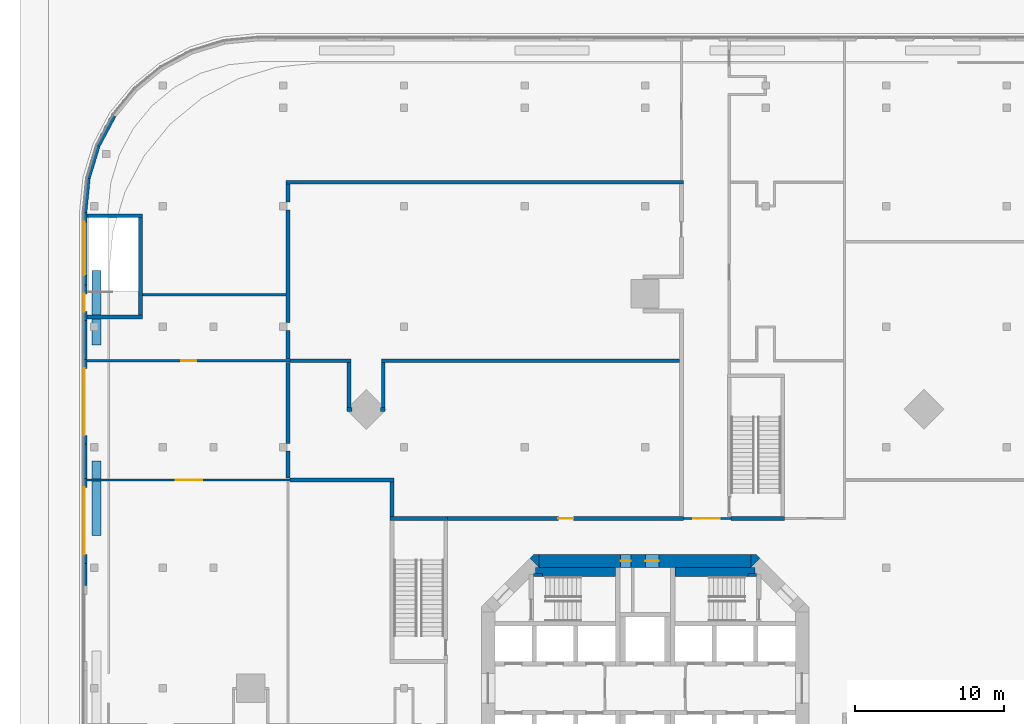
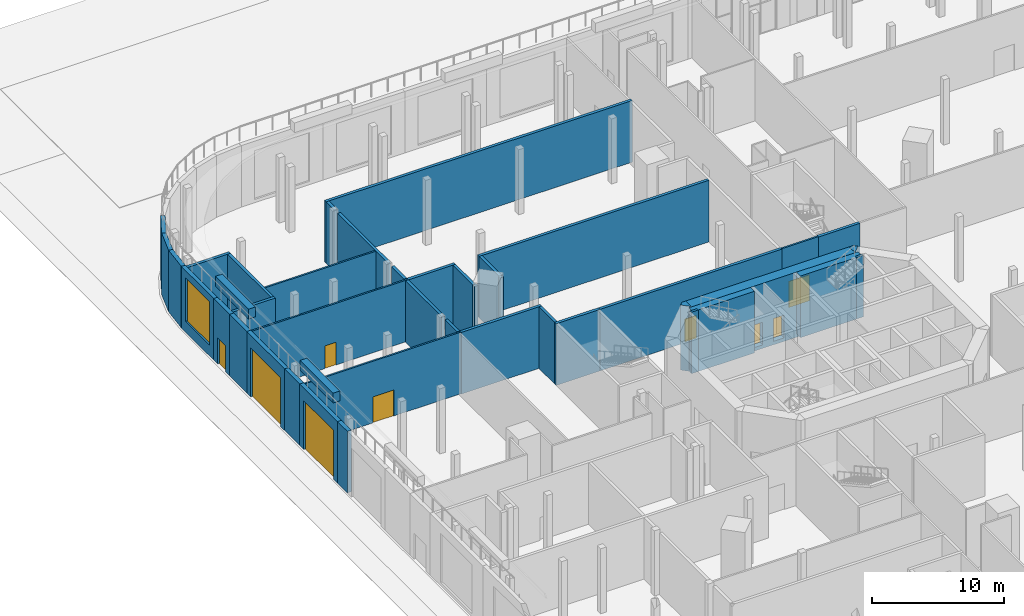
# One storey, part 20 of 32: 43 walls, 9 doors, 1 window, 10 openings.
"""IFC4 building model written with IfcOpenShell, lengths in metres."""

from ifc_helpers import new_model, si_unit, direction, frame, frame_2d, origin, place, context, subcontext, project, spatial, polyline, rectangle, outline, extrude, material, layer, layer_set, type_object, element, fill, save


model = new_model("IFC4")

# Units and contexts
model_context = context("Model", 3, precision=1e-05, world=origin(), true_north=direction((0.0, 1.0)))
body_context = subcontext(model_context, "Body", "Model", "MODEL_VIEW")
ifc_project = project(units=[si_unit("LENGTHUNIT", "METRE"), si_unit("AREAUNIT", "SQUARE_METRE"), si_unit("VOLUMEUNIT", "CUBIC_METRE"), si_unit("PLANEANGLEUNIT", "RADIAN"), si_unit("MASSUNIT", "GRAM", prefix="KILO")], contexts=[model_context])

# Site, building, storey
site_placement = place(None, origin())
site = spatial("IfcSite", under=ifc_project, at=site_placement, CompositionType="ELEMENT")
building_placement = place(site_placement, origin())
building = spatial("IfcBuilding", under=site, at=building_placement, Name="Torre Triforio", CompositionType="ELEMENT")
storey_placement = place(building_placement, origin())
storey = spatial("IfcBuildingStorey", under=building, at=storey_placement, Name="L00", CompositionType="ELEMENT", Elevation=0.0)

# Wall, openings, doors
ifc_material_1 = material(Name="Concrete C60", Category="concrete")
ifc_layer_1 = layer(ifc_material_1, 0.89990234375)
ifc_layer_set_1 = layer_set([ifc_layer_1], Name="Concrete C60")
wall_type_1 = type_object("IfcWallType", Name="Core wall 900 mm C60 EI 120", PredefinedType="SHEAR", material=ifc_layer_set_1)
wall_1_placement = place(storey_placement, frame((-7.1298828125, 8.550048828125, -0.320068359375), z_axis=(0.0, 0.0, 1.0), x_axis=(1.0, 0.0, 0.0)))
wall_1 = element("IfcWall", 1, at=wall_1_placement, inside=storey, type_object=wall_type_1, Name="Core wall", PredefinedType="SHEAR", context=body_context, shape_type="SweptSolid", body=[
    extrude(rectangle(XDim=14.259765625, YDim=0.89990234375, at=frame_2d((7.1298828125, 0.0))), origin(), (0.0, 0.0, 1.0), 6.0),
])
opening_1_placement = place(wall_1_placement, frame((5.47998046875, 0.0, 0.320068359375)))
opening_1 = element("IfcOpeningElement", 2, at=opening_1_placement, cuts=wall_1, Name="Opening RISER-N", PredefinedType="OPENING", context=body_context, shape_type="SweptSolid", body=[
    extrude(rectangle(XDim=0.699951171875, YDim=2.10009765625, at=frame_2d((0.35009765625, 1.050048828125))), frame((0.0, 0.4599609375, 0.0), z_axis=(0.0, -1.0, 0.0), x_axis=(1.0, 0.0, 0.0)), (0.0, 0.0, 1.0), 0.919921875),
])
opening_2_placement = place(wall_1_placement, frame((7.155029296875, 0.0, 0.320068359375)))
opening_2 = element("IfcOpeningElement", 3, at=opening_2_placement, cuts=wall_1, Name="Opening NE-01", PredefinedType="OPENING", context=body_context, shape_type="SweptSolid", body=[
    extrude(rectangle(XDim=0.89990234375, YDim=2.10009765625, at=frame_2d((0.449951171875, 1.050048828125))), frame((0.0, 0.4599609375, 0.0), z_axis=(0.0, -1.0, 0.0), x_axis=(1.0, 0.0, 0.0)), (0.0, 0.0, 1.0), 0.919921875),
])
ifc_material_2 = material(Name="Hollow metal fire door leaf")
door_type_1 = type_object("IfcDoorType", Name="Riser door 700 x 2100 EI 60", OperationType="NOTDEFINED", PredefinedType="DOOR", material=ifc_material_2)
door_1_placement = place(opening_1_placement, origin())
door_1 = element("IfcDoor", 4, at=door_1_placement, inside=storey, type_object=door_type_1, Name="Core door RISER-N", OperationType="SINGLE_SWING_LEFT", OverallHeight=2.10009765625, OverallWidth=0.699951171875, PredefinedType="DOOR", context=body_context, shape_type="SweptSolid", body=[
    extrude(rectangle(XDim=0.699951171875, YDim=2.10009765625, at=frame_2d((0.35009765625, 1.050048828125))), frame((0.0, 0.02490234375, 0.0), z_axis=(0.0, -1.0, 0.0), x_axis=(1.0, 0.0, 0.0)), (0.0, 0.0, 1.0), 0.050048828125),
])
fill(opening_1, door_1)
door_type_2 = type_object("IfcDoorType", Name="Room door 900 x 2100 EI 60", OperationType="NOTDEFINED", PredefinedType="DOOR", material=ifc_material_2)
door_2_placement = place(opening_2_placement, origin())
door_2 = element("IfcDoor", 5, at=door_2_placement, inside=storey, type_object=door_type_2, Name="Core door NE-01", OperationType="SINGLE_SWING_LEFT", OverallHeight=2.10009765625, OverallWidth=0.89990234375, PredefinedType="DOOR", context=body_context, shape_type="SweptSolid", body=[
    extrude(rectangle(XDim=0.89990234375, YDim=2.10009765625, at=frame_2d((0.449951171875, 1.050048828125))), frame((0.0, 0.02490234375, 0.0), z_axis=(0.0, -1.0, 0.0), x_axis=(1.0, 0.0, 0.0)), (0.0, 0.0, 1.0), 0.050048828125),
])
fill(opening_2, door_2)

# Walls
wall_2_placement = place(storey_placement, frame((0.0, 0.0, -0.320068359375)))
element("IfcWall", 6, at=wall_2_placement, inside=storey, type_object=wall_type_1, Name="Core wall", PredefinedType="SHEAR", context=body_context, shape_type="SweptSolid", body=[
    extrude(outline(polyline([(-7.472900390625, 9.0), (-7.1298828125, 9.0), (-7.1298828125, 8.1298828125), (-7.736328125, 8.736328125), (-7.472900390625, 9.0)])), origin(), (0.0, 0.0, 1.0), 6.0),
])
wall_3_placement = place(storey_placement, frame((0.0, 0.0, -0.320068359375)))
element("IfcWall", 7, at=wall_3_placement, inside=storey, type_object=wall_type_1, Name="Core wall", PredefinedType="SHEAR", context=body_context, shape_type="SweptSolid", body=[
    extrude(outline(polyline([(7.472900390625, 9.0), (7.736328125, 8.736328125), (7.1298828125, 8.1298828125), (7.1298828125, 9.0), (7.472900390625, 9.0)])), origin(), (0.0, 0.0, 1.0), 6.0),
])

# Wall, opening, door
ifc_material_3 = material(Name="Plasterboard on metal studs")
ifc_layer_2 = layer(ifc_material_3, 0.14990234375)
ifc_layer_set_2 = layer_set([ifc_layer_2], Name="Plasterboard on metal studs")
wall_type_2 = type_object("IfcWallType", Name="Corridor wall 150 EI 60", PredefinedType="PARTITIONING", material=ifc_layer_set_2)
wall_4_placement = place(storey_placement, frame((-37.5, 14.0, 0.0), z_axis=(0.0, 0.0, 1.0), x_axis=(1.0, 0.0, 0.0)))
wall_4 = element("IfcWall", 8, at=wall_4_placement, inside=storey, type_object=wall_type_2, Name="Corridor wall L00 072", PredefinedType="PARTITIONING", context=body_context, shape_type="SweptSolid", body=[
    extrude(rectangle(XDim=13.625, YDim=0.14990234375, at=frame_2d((6.8125, 0.0))), origin(), (0.0, 0.0, 1.0), 5.679931640625),
])
opening_3_placement = place(wall_4_placement, frame((5.949951171875, 0.0, 0.0)))
opening_3 = element("IfcOpeningElement", 9, at=opening_3_placement, cuts=wall_4, Name="Opening P0-21", PredefinedType="OPENING", context=body_context, shape_type="SweptSolid", body=[
    extrude(rectangle(XDim=1.800048828125, YDim=2.39990234375, at=frame_2d((0.89990234375, 1.199951171875))), frame((0.0, 0.0849609375, 0.0), z_axis=(0.0, -1.0, 0.0), x_axis=(1.0, 0.0, 0.0)), (0.0, 0.0, 1.0), 0.169921875),
])
ifc_material_4 = material(Name="Timber door leaf", Category="wood")
door_type_3 = type_object("IfcDoorType", Name="Double door 1800 x 2400 EI 60", OperationType="NOTDEFINED", PredefinedType="DOOR", material=ifc_material_4)
door_3_placement = place(opening_3_placement, origin())
door_3 = element("IfcDoor", 10, at=door_3_placement, inside=storey, type_object=door_type_3, Name="Door P0-21", OperationType="SINGLE_SWING_LEFT", OverallHeight=2.39990234375, OverallWidth=1.800048828125, PredefinedType="DOOR", context=body_context, shape_type="SweptSolid", body=[
    extrude(rectangle(XDim=1.800048828125, YDim=2.39990234375, at=frame_2d((0.89990234375, 1.199951171875))), frame((0.0, 0.02490234375, 0.0), z_axis=(0.0, -1.0, 0.0), x_axis=(1.0, 0.0, 0.0)), (0.0, 0.0, 1.0), 0.050048828125),
])
fill(opening_3, door_3)

wall_5_placement = place(storey_placement, frame((2.574951171875, 11.39990234375, 0.0), z_axis=(0.0, 0.0, 1.0), x_axis=(1.0, 0.0, 0.0)))
wall_5 = element("IfcWall", 11, at=wall_5_placement, inside=storey, type_object=wall_type_2, Name="Corridor wall L00 128", PredefinedType="PARTITIONING", context=body_context, shape_type="SweptSolid", body=[
    extrude(rectangle(XDim=3.199951171875, YDim=0.14990234375, at=frame_2d((1.60009765625, 0.0))), origin(), (0.0, 0.0, 1.0), 5.679931640625),
])
opening_4_placement = place(wall_5_placement, frame((0.64990234375, 0.0, 0.0)))
opening_4 = element("IfcOpeningElement", 12, at=opening_4_placement, cuts=wall_5, Name="Opening P0-54", PredefinedType="OPENING", context=body_context, shape_type="SweptSolid", body=[
    extrude(rectangle(XDim=1.800048828125, YDim=2.39990234375, at=frame_2d((0.89990234375, 1.199951171875))), frame((0.0, 0.0849609375, 0.0), z_axis=(0.0, -1.0, 0.0), x_axis=(1.0, 0.0, 0.0)), (0.0, 0.0, 1.0), 0.169921875),
])
door_4_placement = place(opening_4_placement, origin())
door_4 = element("IfcDoor", 13, at=door_4_placement, inside=storey, type_object=door_type_3, Name="Door P0-54", OperationType="SINGLE_SWING_LEFT", OverallHeight=2.39990234375, OverallWidth=1.800048828125, PredefinedType="DOOR", context=body_context, shape_type="SweptSolid", body=[
    extrude(rectangle(XDim=1.800048828125, YDim=2.39990234375, at=frame_2d((0.89990234375, 1.199951171875))), frame((0.0, 0.02490234375, 0.0), z_axis=(0.0, -1.0, 0.0), x_axis=(1.0, 0.0, 0.0)), (0.0, 0.0, 1.0), 0.050048828125),
])
fill(opening_4, door_4)

# Walls
ifc_material_5 = material(Name="Masonry block", Category="masonry")
ifc_layer_3 = layer(ifc_material_5, 0.25)
ifc_layer_set_3 = layer_set([ifc_layer_3], Name="Masonry block")
wall_type_3 = type_object("IfcWallType", Name="Plant room wall 250 EI 120", PredefinedType="PARTITIONING", material=ifc_layer_set_3)
for number, where, z_axis, x_axis, name in (
    (14, (-20.01318359375, 18.73828125, 0.0), (0.0, 0.0, 1.0), (1.0, 0.0, 0.0), "Plant room wall L00 053"),
    (15, (-17.7783203125, 18.73828125, 0.0), (0.0, 0.0, 1.0), (1.0, 0.0, 0.0), "Plant room wall L00 054"),
):
    element("IfcWall", number, at=place(storey_placement, frame(where, z_axis=z_axis, x_axis=x_axis)), inside=storey, type_object=wall_type_3, Name=name, PredefinedType="PARTITIONING", context=body_context, shape_type="SweptSolid", body=[
        extrude(rectangle(XDim=0.31494140625, YDim=0.25, at=frame_2d((0.157470703125, 0.0))), origin(), (0.0, 0.0, 1.0), 5.679931640625),
    ])
wall_6_placement = place(storey_placement, frame((-23.875, 22.0, 0.0), z_axis=(0.0, 0.0, 1.0), x_axis=(1.0, 0.0, 0.0)))
element("IfcWall", 16, at=wall_6_placement, inside=storey, type_object=wall_type_3, Name="Plant room wall L00 055", PredefinedType="PARTITIONING", context=body_context, shape_type="SweptSolid", body=[
    extrude(rectangle(XDim=4.11181640625, YDim=0.25, at=frame_2d((2.055908203125, 0.0))), origin(), (0.0, 0.0, 1.0), 5.679931640625),
])
wall_7_placement = place(storey_placement, frame((-17.71337890625, 22.0, 0.0), z_axis=(0.0, 0.0, 1.0), x_axis=(1.0, 0.0, 0.0)))
element("IfcWall", 17, at=wall_7_placement, inside=storey, type_object=wall_type_3, Name="Plant room wall L00 056", PredefinedType="PARTITIONING", context=body_context, shape_type="SweptSolid", body=[
    extrude(rectangle(XDim=20.038330078125, YDim=0.25, at=frame_2d((10.01904296875, 0.0))), origin(), (0.0, 0.0, 1.0), 5.679931640625),
])
for number, where, z_axis, x_axis, name in (
    (18, (-19.88818359375, 18.86328125, 0.0), (0.0, 0.0, 1.0), (0.0, 1.0, 0.0), "Plant room wall L00 057"),
    (19, (-17.58837890625, 18.86328125, 0.0), (0.0, 0.0, 1.0), (0.0, 1.0, 0.0), "Plant room wall L00 058"),
):
    element("IfcWall", number, at=place(storey_placement, frame(where, z_axis=z_axis, x_axis=x_axis)), inside=storey, type_object=wall_type_3, Name=name, PredefinedType="PARTITIONING", context=body_context, shape_type="SweptSolid", body=[
        extrude(rectangle(XDim=3.01171875, YDim=0.25, at=frame_2d((1.505859375, 0.0))), origin(), (0.0, 0.0, 1.0), 5.679931640625),
    ])
wall_8_placement = place(storey_placement, frame((-24.0, 22.125, 0.0), z_axis=(0.0, 0.0, 1.0), x_axis=(0.0, 1.0, 0.0)))
element("IfcWall", 20, at=wall_8_placement, inside=storey, type_object=wall_type_3, Name="Plant room wall L00 062", PredefinedType="PARTITIONING", context=body_context, shape_type="SweptSolid", body=[
    extrude(rectangle(XDim=1.9150390625, YDim=0.25, at=frame_2d((0.95751953125, 0.0))), origin(), (0.0, 0.0, 1.0), 5.679931640625),
])
wall_9_placement = place(storey_placement, frame((-24.0, 24.56005859375, 0.0), z_axis=(0.0, 0.0, 1.0), x_axis=(0.0, 1.0, 0.0)))
element("IfcWall", 21, at=wall_9_placement, inside=storey, type_object=wall_type_3, Name="Plant room wall L00 063", PredefinedType="PARTITIONING", context=body_context, shape_type="SweptSolid", body=[
    extrude(rectangle(XDim=7.579833984375, YDim=0.25, at=frame_2d((3.7900390625, 0.0))), origin(), (0.0, 0.0, 1.0), 5.679931640625),
])
wall_10_placement = place(storey_placement, frame((-24.125, 34.0, 0.0), z_axis=(0.0, 0.0, 1.0), x_axis=(1.0, 0.0, 0.0)))
element("IfcWall", 22, at=wall_10_placement, inside=storey, type_object=wall_type_3, Name="Plant room wall L00 064", PredefinedType="PARTITIONING", context=body_context, shape_type="SweptSolid", body=[
    extrude(rectangle(XDim=26.699951171875, YDim=0.25, at=frame_2d((13.35009765625, 0.0))), origin(), (0.0, 0.0, 1.0), 5.679931640625),
])
wall_11_placement = place(storey_placement, frame((-24.0, 32.659912109375, 0.0), z_axis=(0.0, 0.0, 1.0), x_axis=(0.0, 1.0, 0.0)))
element("IfcWall", 23, at=wall_11_placement, inside=storey, type_object=wall_type_3, Name="Plant room wall L00 065", PredefinedType="PARTITIONING", context=body_context, shape_type="SweptSolid", body=[
    extrude(rectangle(XDim=1.215087890625, YDim=0.25, at=frame_2d((0.607421875, 0.0))), origin(), (0.0, 0.0, 1.0), 5.679931640625),
])
wall_12_placement = place(storey_placement, frame((-24.0, 14.125, 0.0), z_axis=(0.0, 0.0, 1.0), x_axis=(0.0, 1.0, 0.0)))
element("IfcWall", 24, at=wall_12_placement, inside=storey, type_object=wall_type_3, Name="Plant room wall L00 085", PredefinedType="PARTITIONING", context=body_context, shape_type="SweptSolid", body=[
    extrude(rectangle(XDim=1.81494140625, YDim=0.25, at=frame_2d((0.907470703125, 0.0))), origin(), (0.0, 0.0, 1.0), 5.679931640625),
])
wall_13_placement = place(storey_placement, frame((-24.0, 16.4599609375, 0.0), z_axis=(0.0, 0.0, 1.0), x_axis=(0.0, 1.0, 0.0)))
element("IfcWall", 25, at=wall_13_placement, inside=storey, type_object=wall_type_3, Name="Plant room wall L00 086", PredefinedType="PARTITIONING", context=body_context, shape_type="SweptSolid", body=[
    extrude(rectangle(XDim=5.4150390625, YDim=0.25, at=frame_2d((2.70751953125, 0.0))), origin(), (0.0, 0.0, 1.0), 5.679931640625),
])

# Wall, opening, door
wall_14_placement = place(storey_placement, frame((-13.27490234375, 11.39990234375, 0.0), z_axis=(0.0, 0.0, 1.0), x_axis=(1.0, 0.0, 0.0)))
wall_14 = element("IfcWall", 26, at=wall_14_placement, inside=storey, type_object=wall_type_3, Name="Plant room wall L00 088", PredefinedType="PARTITIONING", context=body_context, shape_type="SweptSolid", body=[
    extrude(rectangle(XDim=15.849853515625, YDim=0.25, at=frame_2d((7.9248046875, 0.0))), origin(), (0.0, 0.0, 1.0), 5.679931640625),
])
opening_5_placement = place(wall_14_placement, frame((7.449951171875, 0.0, 0.0)))
opening_5 = element("IfcOpeningElement", 27, at=opening_5_placement, cuts=wall_14, Name="Opening P0-25", PredefinedType="OPENING", context=body_context, shape_type="SweptSolid", body=[
    extrude(rectangle(XDim=1.0, YDim=2.10009765625, at=frame_2d((0.5, 1.050048828125))), frame((0.0, 0.135009765625, 0.0), z_axis=(0.0, -1.0, 0.0), x_axis=(1.0, 0.0, 0.0)), (0.0, 0.0, 1.0), 0.27001953125),
])
door_type_4 = type_object("IfcDoorType", Name="Fire door 1000 x 2100 EI 60", OperationType="NOTDEFINED", PredefinedType="DOOR", material=ifc_material_2)
door_5_placement = place(opening_5_placement, origin())
door_5 = element("IfcDoor", 28, at=door_5_placement, inside=storey, type_object=door_type_4, Name="Door P0-25", OperationType="SINGLE_SWING_LEFT", OverallHeight=2.10009765625, OverallWidth=1.0, PredefinedType="DOOR", context=body_context, shape_type="SweptSolid", body=[
    extrude(rectangle(XDim=1.0, YDim=2.10009765625, at=frame_2d((0.5, 1.050048828125))), frame((0.0, 0.02490234375, 0.0), z_axis=(0.0, -1.0, 0.0), x_axis=(1.0, 0.0, 0.0)), (0.0, 0.0, 1.0), 0.050048828125),
])
fill(opening_5, door_5)

# Walls
wall_15_placement = place(storey_placement, frame((-23.875, 14.0, 0.0), z_axis=(0.0, 0.0, 1.0), x_axis=(1.0, 0.0, 0.0)))
element("IfcWall", 29, at=wall_15_placement, inside=storey, type_object=wall_type_3, Name="Plant room wall L00 089", PredefinedType="PARTITIONING", context=body_context, shape_type="SweptSolid", body=[
    extrude(rectangle(XDim=7.0, YDim=0.25, at=frame_2d((3.5, 0.0))), origin(), (0.0, 0.0, 1.0), 5.679931640625),
])
wall_16_placement = place(storey_placement, frame((-17.0, 11.52490234375, 0.0), z_axis=(0.0, 0.0, 1.0), x_axis=(0.0, 1.0, 0.0)))
element("IfcWall", 30, at=wall_16_placement, inside=storey, type_object=wall_type_3, Name="Plant room wall L00 090", PredefinedType="PARTITIONING", context=body_context, shape_type="SweptSolid", body=[
    extrude(rectangle(XDim=2.35009765625, YDim=0.25, at=frame_2d((1.175048828125, 0.0))), origin(), (0.0, 0.0, 1.0), 5.679931640625),
])
ifc_material_6 = material(Name="Concrete C40", Category="concrete")
ifc_layer_4 = layer(ifc_material_6, 0.25)
ifc_layer_set_4 = layer_set([ifc_layer_4], Name="Concrete C40")
wall_type_4 = type_object("IfcWallType", Name="Plant room wall 250 structural EI 120", PredefinedType="STANDARD", material=ifc_layer_set_4)
wall_17_placement = place(storey_placement, frame((-17.125, 11.39990234375, 0.0), z_axis=(0.0, 0.0, 1.0), x_axis=(1.0, 0.0, 0.0)))
element("IfcWall", 31, at=wall_17_placement, inside=storey, type_object=wall_type_4, Name="Plant room wall L00 087", PredefinedType="STANDARD", context=body_context, shape_type="SweptSolid", body=[
    extrude(rectangle(XDim=3.85009765625, YDim=0.25, at=frame_2d((1.925048828125, 0.0))), origin(), (0.0, 0.0, 1.0), 5.679931640625),
])
ifc_layer_5 = layer(ifc_material_6, 0.25)
ifc_layer_set_5 = layer_set([ifc_layer_5], Name="Concrete C40")
wall_type_5 = type_object("IfcWallType", Name="Stair enclosure wall 250 EI 120", PredefinedType="STANDARD", material=ifc_layer_set_5)
wall_18_placement = place(storey_placement, frame((-37.5, 24.949951171875, 0.0), z_axis=(0.0, 0.0, 1.0), x_axis=(1.0, 0.0, 0.0)))
element("IfcWall", 32, at=wall_18_placement, inside=storey, type_object=wall_type_5, Name="Stair enclosure wall L00 020", PredefinedType="STANDARD", context=body_context, shape_type="SweptSolid", body=[
    extrude(rectangle(XDim=3.72509765625, YDim=0.25, at=frame_2d((1.862548828125, 0.0))), origin(), (0.0, 0.0, 1.0), 5.679931640625),
])
wall_19_placement = place(storey_placement, frame((-33.89990234375, 25.074951171875, 0.0), z_axis=(0.0, 0.0, 1.0), x_axis=(0.0, 1.0, 0.0)))
element("IfcWall", 33, at=wall_19_placement, inside=storey, type_object=wall_type_5, Name="Stair enclosure wall L00 021", PredefinedType="STANDARD", context=body_context, shape_type="SweptSolid", body=[
    extrude(rectangle(XDim=6.550048828125, YDim=0.25, at=frame_2d((3.27490234375, 0.0))), origin(), (0.0, 0.0, 1.0), 5.679931640625),
])
wall_20_placement = place(storey_placement, frame((-37.5, 31.75, 0.0), z_axis=(0.0, 0.0, 1.0), x_axis=(1.0, 0.0, 0.0)))
element("IfcWall", 34, at=wall_20_placement, inside=storey, type_object=wall_type_5, Name="Stair enclosure wall L00 022", PredefinedType="STANDARD", context=body_context, shape_type="SweptSolid", body=[
    extrude(rectangle(XDim=3.72509765625, YDim=0.25, at=frame_2d((1.862548828125, 0.0))), origin(), (0.0, 0.0, 1.0), 5.679931640625),
])
wall_21_placement = place(storey_placement, frame((5.77490234375, 11.39990234375, 0.0), z_axis=(0.0, 0.0, 1.0), x_axis=(1.0, 0.0, 0.0)))
element("IfcWall", 35, at=wall_21_placement, inside=storey, type_object=wall_type_5, Name="Stair enclosure wall L00 140", PredefinedType="STANDARD", context=body_context, shape_type="SweptSolid", body=[
    extrude(rectangle(XDim=3.60009765625, YDim=0.25, at=frame_2d((1.800048828125, 0.0))), origin(), (0.0, 0.0, 1.0), 5.679931640625),
])
ifc_layer_6 = layer(ifc_material_1, 0.199951171875)
ifc_layer_set_6 = layer_set([ifc_layer_6], Name="Concrete C60")
wall_type_6 = type_object("IfcWallType", Name="Stair wall 200 mm C60 EI 120", PredefinedType="SHEAR", material=ifc_layer_set_6)
for number, where, z_axis, x_axis, name in (
    (36, (-7.5, 7.60009765625, 0.0), (0.0, 0.0, 1.0), (1.0, 0.0, 0.0), "Stair wall"),
    (37, (6.89990234375, 7.60009765625, 0.0), (0.0, 0.0, 1.0), (1.0, 0.0, 0.0), "Stair wall"),
):
    element("IfcWall", number, at=place(storey_placement, frame(where, z_axis=z_axis, x_axis=x_axis)), inside=storey, type_object=wall_type_6, Name=name, PredefinedType="SHEAR", context=body_context, shape_type="SweptSolid", body=[
        extrude(rectangle(XDim=0.60009765625, YDim=0.199951171875, at=frame_2d((0.300048828125, 0.0))), origin(), (0.0, 0.0, 1.0), 5.679931640625),
    ])
ifc_layer_7 = layer(ifc_material_1, 0.60009765625)
ifc_layer_set_7 = layer_set([ifc_layer_7], Name="Concrete C60")
wall_type_7 = type_object("IfcWallType", Name="Stair wall 600 mm C60 EI 120", PredefinedType="SHEAR", material=ifc_layer_set_7)
for number, where, z_axis, x_axis, name in (
    (38, (-7.3701171875, 7.800048828125, 0.0), (0.0, 0.0, 1.0), (1.0, 0.0, 0.0), "Stair wall"),
    (39, (2.0, 7.800048828125, 0.0), (0.0, 0.0, 1.0), (1.0, 0.0, 0.0), "Stair wall"),
):
    element("IfcWall", number, at=place(storey_placement, frame(where, z_axis=z_axis, x_axis=x_axis)), inside=storey, type_object=wall_type_7, Name=name, PredefinedType="SHEAR", context=body_context, shape_type="SweptSolid", body=[
        extrude(rectangle(XDim=5.3701171875, YDim=0.60009765625, at=frame_2d((2.68505859375, 0.0))), origin(), (0.0, 0.0, 1.0), 5.679931640625),
    ])
ifc_material_7 = material(Name="Limestone cladding", Category="masonry")
ifc_layer_8 = layer(ifc_material_7, 0.10009765625)
ifc_layer_9 = layer(ifc_material_6, 0.25)
ifc_layer_set_8 = layer_set([ifc_layer_8, ifc_layer_9], Name="Limestone cladding / Concrete C40")
wall_type_8 = type_object("IfcWallType", Name="Stone-clad podium wall 350", PredefinedType="STANDARD", material=ifc_layer_set_8)
wall_22_placement = place(storey_placement, frame((-35.7060546875, 38.4853515625, 0.0), z_axis=(0.0, 0.0, 1.0), x_axis=(-0.47145739061, -0.881888841544, 0.0)))
element("IfcWall", 40, at=wall_22_placement, inside=storey, type_object=wall_type_8, Name="External wall L00 e23.0.w0", PredefinedType="STANDARD", context=body_context, shape_type="SweptSolid", body=[
    extrude(rectangle(XDim=2.288330078125, YDim=0.35009765625, at=frame_2d((1.14404296875, 0.0))), origin(), (0.0, 0.0, 1.0), 5.679931640625),
])
wall_23_placement = place(storey_placement, frame((-36.784912109375, 36.46728515625, 0.0), z_axis=(0.0, 0.0, 1.0), x_axis=(-0.29028274763, -0.956940921075, 0.0)))
element("IfcWall", 41, at=wall_23_placement, inside=storey, type_object=wall_type_8, Name="External wall L00 e24.0.w0", PredefinedType="STANDARD", context=body_context, shape_type="SweptSolid", body=[
    extrude(rectangle(XDim=2.28857421875, YDim=0.35009765625, at=frame_2d((1.144287109375, 0.0))), origin(), (0.0, 0.0, 1.0), 5.679931640625),
])
wall_24_placement = place(storey_placement, frame((-37.44921875, 34.27734375, 0.0), z_axis=(0.0, 0.0, 1.0), x_axis=(-0.097993192849, -0.995187085002, 0.0)))
element("IfcWall", 42, at=wall_24_placement, inside=storey, type_object=wall_type_8, Name="External wall L00 e25.0.w0", PredefinedType="STANDARD", context=body_context, shape_type="SweptSolid", body=[
    extrude(rectangle(XDim=2.304443359375, YDim=0.35009765625, at=frame_2d((1.15234375, 0.0))), origin(), (0.0, 0.0, 1.0), 5.679931640625),
])

# Wall, opening, window
wall_25_placement = place(storey_placement, frame((-37.675048828125, 31.98388671875, 0.0), z_axis=(0.0, 0.0, 1.0), x_axis=(0.0, -1.0, 0.0)))
wall_25 = element("IfcWall", 43, at=wall_25_placement, inside=storey, type_object=wall_type_8, Name="External wall L00 e26.0.w0", PredefinedType="STANDARD", context=body_context, shape_type="SweptSolid", body=[
    extrude(rectangle(XDim=4.8837890625, YDim=0.35009765625, at=frame_2d((2.44189453125, 0.0))), origin(), (0.0, 0.0, 1.0), 5.679931640625),
])
opening_6_placement = place(wall_25_placement, frame((0.64208984375, 0.0, 1.0)))
opening_6 = element("IfcOpeningElement", 44, at=opening_6_placement, cuts=wall_25, Name="Opening P0-W09", PredefinedType="OPENING", context=body_context, shape_type="SweptSolid", body=[
    extrude(rectangle(XDim=3.60009765625, YDim=4.0, at=frame_2d((1.800048828125, 2.0))), frame((0.0, 0.18505859375, 0.0), z_axis=(0.0, -1.0, 0.0), x_axis=(1.0, 0.0, 0.0)), (0.0, 0.0, 1.0), 0.3701171875),
])
ifc_material_8 = material(Name="Aluminium frame with clear double glazing", Category="aluminium")
window_type = type_object("IfcWindowType", Name="Podium window 3600 x 4000", PartitioningType="DOUBLE_PANEL_VERTICAL", PredefinedType="WINDOW", material=ifc_material_8)
window_placement = place(opening_6_placement, origin())
window = element("IfcWindow", 45, at=window_placement, inside=storey, type_object=window_type, Name="Window L00 e26.0.w0", OverallHeight=4.0, OverallWidth=3.60009765625, PartitioningType="SINGLE_PANEL", PredefinedType="WINDOW", context=body_context, shape_type="SweptSolid", body=[
    extrude(rectangle(XDim=3.60009765625, YDim=4.0, at=frame_2d((1.800048828125, 2.0))), frame((0.0, 0.030029296875, 0.0), z_axis=(0.0, -1.0, 0.0), x_axis=(1.0, 0.0, 0.0)), (0.0, 0.0, 1.0), 0.06005859375),
])
fill(opening_6, window)

# Wall, opening, door
wall_26_placement = place(storey_placement, frame((-37.675048828125, 27.10009765625, 0.0), z_axis=(0.0, 0.0, 1.0), x_axis=(0.0, -1.0, 0.0)))
wall_26 = element("IfcWall", 46, at=wall_26_placement, inside=storey, type_object=wall_type_8, Name="External wall L00 e26.1", PredefinedType="STANDARD", context=body_context, shape_type="SweptSolid", body=[
    extrude(rectangle(XDim=2.400146484375, YDim=0.35009765625, at=frame_2d((1.2001953125, 0.0))), origin(), (0.0, 0.0, 1.0), 5.679931640625),
])
opening_7_placement = place(wall_26_placement, frame((0.60009765625, 0.0, 0.0)))
opening_7 = element("IfcOpeningElement", 47, at=opening_7_placement, cuts=wall_26, Name="Opening P0-51", PredefinedType="OPENING", context=body_context, shape_type="SweptSolid", body=[
    extrude(rectangle(XDim=1.199951171875, YDim=2.39990234375, at=frame_2d((0.60009765625, 1.199951171875))), frame((0.0, 0.18505859375, 0.0), z_axis=(0.0, -1.0, 0.0), x_axis=(1.0, 0.0, 0.0)), (0.0, 0.0, 1.0), 0.3701171875),
])
ifc_material_9 = material(Name="Galvanised hollow metal door leaf")
door_type_5 = type_object("IfcDoorType", Name="Exit discharge door 1200 x 2400", OperationType="NOTDEFINED", PredefinedType="DOOR", material=ifc_material_9)
door_6_placement = place(opening_7_placement, frame((1.199951171875, 0.0, 0.0), z_axis=(0.0, 0.0, 1.0), x_axis=(-1.0, 0.0, 0.0)))
door_6 = element("IfcDoor", 48, at=door_6_placement, inside=storey, type_object=door_type_5, Name="Door P0-51", OperationType="SINGLE_SWING_RIGHT", OverallHeight=2.39990234375, OverallWidth=1.199951171875, PredefinedType="DOOR", context=body_context, shape_type="SweptSolid", body=[
    extrude(rectangle(XDim=1.199951171875, YDim=2.39990234375, at=frame_2d((0.60009765625, 1.199951171875))), frame((0.0, 0.02490234375, 0.0), z_axis=(0.0, -1.0, 0.0), x_axis=(1.0, 0.0, 0.0)), (0.0, 0.0, 1.0), 0.050048828125),
])
fill(opening_7, door_6)

# Wall
wall_27_placement = place(storey_placement, frame((-37.675048828125, 24.699951171875, 0.0), z_axis=(0.0, 0.0, 1.0), x_axis=(0.0, -1.0, 0.0)))
element("IfcWall", 49, at=wall_27_placement, inside=storey, type_object=wall_type_8, Name="External wall L00 e26.2.w0", PredefinedType="STANDARD", context=body_context, shape_type="SweptSolid", body=[
    extrude(rectangle(XDim=2.599853515625, YDim=0.35009765625, at=frame_2d((1.2998046875, 0.0))), origin(), (0.0, 0.0, 1.0), 5.679931640625),
])

# Wall, opening, door
wall_28_placement = place(storey_placement, frame((-37.675048828125, 22.10009765625, 0.0), z_axis=(0.0, 0.0, 1.0), x_axis=(0.0, -1.0, 0.0)))
wall_28 = element("IfcWall", 50, at=wall_28_placement, inside=storey, type_object=wall_type_8, Name="External wall L00 e26.3", PredefinedType="STANDARD", context=body_context, shape_type="SweptSolid", body=[
    extrude(rectangle(XDim=5.7001953125, YDim=0.35009765625, at=frame_2d((2.85009765625, 0.0))), origin(), (0.0, 0.0, 1.0), 5.679931640625),
])
opening_8_placement = place(wall_28_placement, frame((0.60009765625, 0.0, 0.0)))
opening_8 = element("IfcOpeningElement", 51, at=opening_8_placement, cuts=wall_28, Name="Opening P0-43", PredefinedType="OPENING", context=body_context, shape_type="SweptSolid", body=[
    extrude(rectangle(XDim=4.5, YDim=4.5, at=frame_2d((2.25, 2.25))), frame((0.0, 0.18505859375, 0.0), z_axis=(0.0, -1.0, 0.0), x_axis=(1.0, 0.0, 0.0)), (0.0, 0.0, 1.0), 0.3701171875),
])
ifc_material_10 = material(Name="Galvanised roller shutter slats")
door_type_6 = type_object("IfcDoorType", Name="Roller shutter door 4500 x 4500", OperationType="ROLLINGUP", PredefinedType="GATE", material=ifc_material_10)
door_7_placement = place(opening_8_placement, frame((4.5, 0.0, 0.0), z_axis=(0.0, 0.0, 1.0), x_axis=(-1.0, 0.0, 0.0)))
door_7 = element("IfcDoor", 52, at=door_7_placement, inside=storey, type_object=door_type_6, Name="Door P0-43", OperationType="SINGLE_SWING_LEFT", OverallHeight=4.5, OverallWidth=4.5, PredefinedType="GATE", context=body_context, shape_type="SweptSolid", body=[
    extrude(rectangle(XDim=4.5, YDim=4.5, at=frame_2d((2.25, 2.25))), frame((0.0, 0.02490234375, 0.0), z_axis=(0.0, -1.0, 0.0), x_axis=(1.0, 0.0, 0.0)), (0.0, 0.0, 1.0), 0.050048828125),
])
fill(opening_8, door_7)

# Wall
wall_29_placement = place(storey_placement, frame((-37.675048828125, 16.39990234375, 0.0), z_axis=(0.0, 0.0, 1.0), x_axis=(0.0, -1.0, 0.0)))
element("IfcWall", 53, at=wall_29_placement, inside=storey, type_object=wall_type_8, Name="External wall L00 e26.4.w0", PredefinedType="STANDARD", context=body_context, shape_type="SweptSolid", body=[
    extrude(rectangle(XDim=2.2998046875, YDim=0.35009765625, at=frame_2d((1.14990234375, 0.0))), origin(), (0.0, 0.0, 1.0), 5.679931640625),
])

# Wall, opening, door
wall_30_placement = place(storey_placement, frame((-37.675048828125, 14.10009765625, 0.0), z_axis=(0.0, 0.0, 1.0), x_axis=(0.0, -1.0, 0.0)))
wall_30 = element("IfcWall", 54, at=wall_30_placement, inside=storey, type_object=wall_type_8, Name="External wall L00 e26.5", PredefinedType="STANDARD", context=body_context, shape_type="SweptSolid", body=[
    extrude(rectangle(XDim=5.7001953125, YDim=0.35009765625, at=frame_2d((2.85009765625, 0.0))), origin(), (0.0, 0.0, 1.0), 5.679931640625),
])
opening_9_placement = place(wall_30_placement, frame((0.60009765625, 0.0, 0.0)))
opening_9 = element("IfcOpeningElement", 55, at=opening_9_placement, cuts=wall_30, Name="Opening P0-42", PredefinedType="OPENING", context=body_context, shape_type="SweptSolid", body=[
    extrude(rectangle(XDim=4.5, YDim=4.5, at=frame_2d((2.25, 2.25))), frame((0.0, 0.18505859375, 0.0), z_axis=(0.0, -1.0, 0.0), x_axis=(1.0, 0.0, 0.0)), (0.0, 0.0, 1.0), 0.3701171875),
])
door_8_placement = place(opening_9_placement, frame((4.5, 0.0, 0.0), z_axis=(0.0, 0.0, 1.0), x_axis=(-1.0, 0.0, 0.0)))
door_8 = element("IfcDoor", 56, at=door_8_placement, inside=storey, type_object=door_type_6, Name="Door P0-42", OperationType="SINGLE_SWING_LEFT", OverallHeight=4.5, OverallWidth=4.5, PredefinedType="GATE", context=body_context, shape_type="SweptSolid", body=[
    extrude(rectangle(XDim=4.5, YDim=4.5, at=frame_2d((2.25, 2.25))), frame((0.0, 0.02490234375, 0.0), z_axis=(0.0, -1.0, 0.0), x_axis=(1.0, 0.0, 0.0)), (0.0, 0.0, 1.0), 0.050048828125),
])
fill(opening_9, door_8)

# Walls
wall_31_placement = place(storey_placement, frame((-37.675048828125, 8.39990234375, 0.0), z_axis=(0.0, 0.0, 1.0), x_axis=(0.0, -1.0, 0.0)))
element("IfcWall", 57, at=wall_31_placement, inside=storey, type_object=wall_type_8, Name="External wall L00 e26.6", PredefinedType="STANDARD", context=body_context, shape_type="SweptSolid", body=[
    extrude(rectangle(XDim=1.5, YDim=0.35009765625, at=frame_2d((0.75, 0.0))), origin(), (0.0, 0.0, 1.0), 5.679931640625),
])
ifc_layer_10 = layer(ifc_material_7, 0.10009765625)
ifc_layer_11 = layer(ifc_material_6, 0.5)
ifc_layer_set_9 = layer_set([ifc_layer_10, ifc_layer_11], Name="Limestone cladding / Concrete C40")
wall_type_9 = type_object("IfcWallType", Name="Terrace planter wall 600", PredefinedType="PARAPET", material=ifc_layer_set_9)
for number, where, z_axis, x_axis, name in (
    (58, (-36.85009765625, 28.0546875, 6.0), (0.0, 0.0, 1.0), (0.0, -1.0, 0.0), "Terrace T1 planter 27.1"),
    (59, (-36.85009765625, 15.27734375, 6.0), (0.0, 0.0, 1.0), (0.0, -1.0, 0.0), "Terrace T1 planter 27.2"),
):
    element("IfcWall", number, at=place(storey_placement, frame(where, z_axis=z_axis, x_axis=x_axis)), inside=storey, type_object=wall_type_9, Name=name, PredefinedType="PARAPET", context=body_context, shape_type="SweptSolid", body=[
        extrude(rectangle(XDim=5.0, YDim=0.60009765625, at=frame_2d((2.5, 0.0))), origin(), (0.0, 0.0, 1.0), 0.89990234375),
    ])

# Wall, opening, door
ifc_layer_12 = layer(ifc_material_3, 0.14990234375)
ifc_layer_set_10 = layer_set([ifc_layer_12], Name="Plasterboard on metal studs")
wall_type_10 = type_object("IfcWallType", Name="Wet room wall 150", PredefinedType="PARTITIONING", material=ifc_layer_set_10)
wall_32_placement = place(storey_placement, frame((-37.5, 22.0, 0.0), z_axis=(0.0, 0.0, 1.0), x_axis=(1.0, 0.0, 0.0)))
wall_32 = element("IfcWall", 60, at=wall_32_placement, inside=storey, type_object=wall_type_10, Name="Wet room wall L00 131", PredefinedType="PARTITIONING", context=body_context, shape_type="SweptSolid", body=[
    extrude(rectangle(XDim=13.625, YDim=0.14990234375, at=frame_2d((6.8125, 0.0))), origin(), (0.0, 0.0, 1.0), 5.679931640625),
])
opening_10_placement = place(wall_32_placement, frame((6.35009765625, 0.0, 0.0)))
opening_10 = element("IfcOpeningElement", 61, at=opening_10_placement, cuts=wall_32, Name="Opening P0-29", PredefinedType="OPENING", context=body_context, shape_type="SweptSolid", body=[
    extrude(rectangle(XDim=1.0, YDim=2.10009765625, at=frame_2d((0.5, 1.050048828125))), frame((0.0, 0.0849609375, 0.0), z_axis=(0.0, -1.0, 0.0), x_axis=(1.0, 0.0, 0.0)), (0.0, 0.0, 1.0), 0.169921875),
])
door_type_7 = type_object("IfcDoorType", Name="Single door 1000 x 2100", OperationType="NOTDEFINED", PredefinedType="DOOR", material=ifc_material_4)
door_9_placement = place(opening_10_placement, origin())
door_9 = element("IfcDoor", 62, at=door_9_placement, inside=storey, type_object=door_type_7, Name="Door P0-29", OperationType="SINGLE_SWING_LEFT", OverallHeight=2.10009765625, OverallWidth=1.0, PredefinedType="DOOR", context=body_context, shape_type="SweptSolid", body=[
    extrude(rectangle(XDim=1.0, YDim=2.10009765625, at=frame_2d((0.5, 1.050048828125))), frame((0.0, 0.02490234375, 0.0), z_axis=(0.0, -1.0, 0.0), x_axis=(1.0, 0.0, 0.0)), (0.0, 0.0, 1.0), 0.050048828125),
])
fill(opening_10, door_9)

# Wall
wall_33_placement = place(storey_placement, frame((-33.77490234375, 26.4443359375, 0.0), z_axis=(0.0, 0.0, 1.0), x_axis=(1.0, 0.0, 0.0)))
element("IfcWall", 63, at=wall_33_placement, inside=storey, type_object=wall_type_10, Name="Wet room wall L00 181", PredefinedType="PARTITIONING", context=body_context, shape_type="SweptSolid", body=[
    extrude(rectangle(XDim=9.64990234375, YDim=0.14990234375, at=frame_2d((4.824951171875, 0.0))), origin(), (0.0, 0.0, 1.0), 5.679931640625),
])

save(model, "model.ifc")
